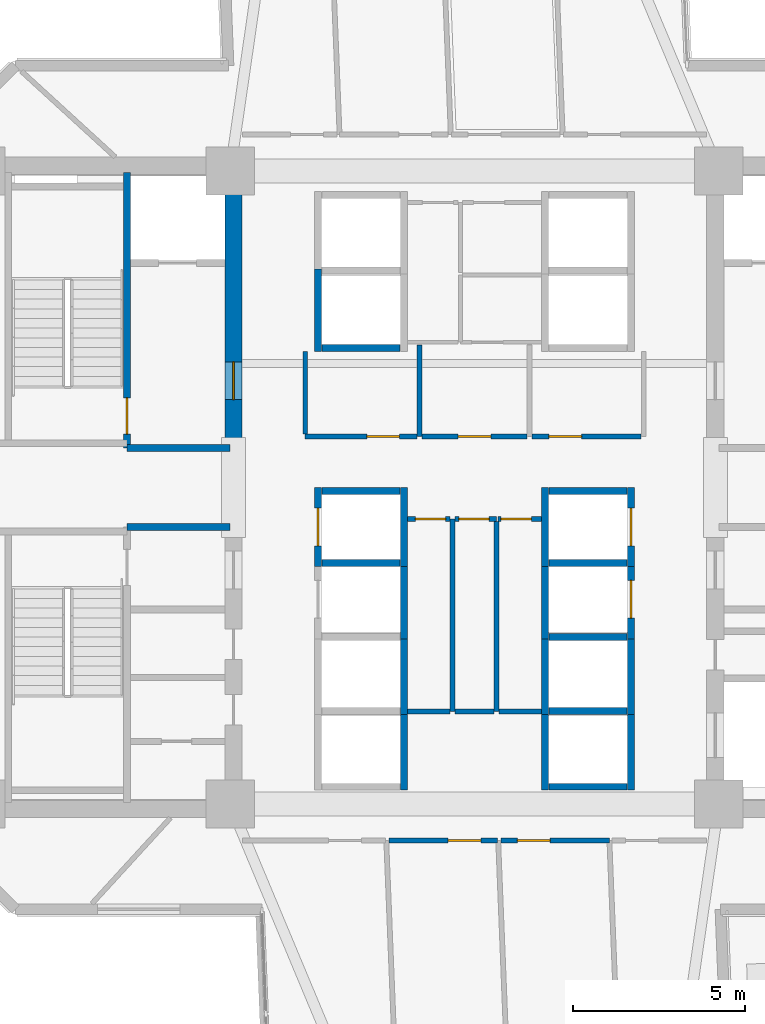
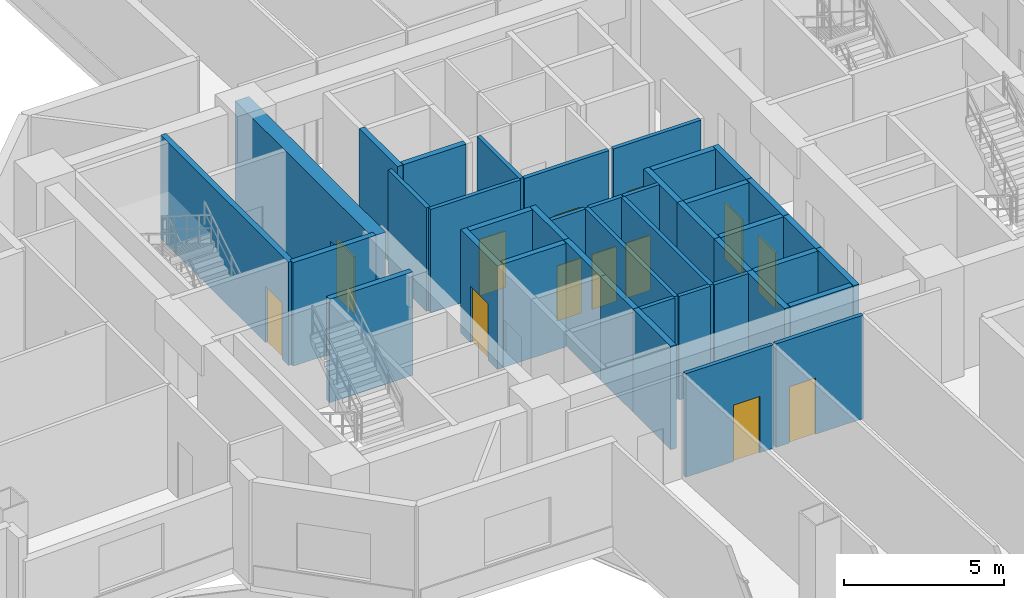
# One storey, part 7 of 16: 41 walls, 13 doors, 13 openings.
"""IFC4 building model written with IfcOpenShell, lengths in metres."""

import ifcopenshell
import ifcopenshell.guid

model = None  # the IFC model being written
_history = None  # IfcOwnerHistory: only IFC2X3 demands one
_inside = {}  # id of a spatial element -> (the spatial element, [elements in it])
_under = {}  # id of a project, library or spatial element -> (it, [spatial elements below it])
_declared = {}  # id of a project -> (the project, [libraries it declares])
_typed = {}  # id of a type object -> (the type object, [elements of that type])
_made_of = {}  # id of a material, layer set ... -> (it, [elements and type objects made of it])


def new_model(schema):
    """Start an empty IFC model of exactly this schema.

    Asked for "IFC4X3", IfcOpenShell would pick the latest addendum, in which some entities
    have other attributes; the version numbers below select the first issue.
    IFC2X3 requires an IfcOwnerHistory on every rooted entity: one is made here for all.
    """
    global model, _history
    if schema == "IFC4X3":
        model = ifcopenshell.file(schema_version=(4, 3, 0, 0))
    else:
        model = ifcopenshell.file(schema=schema)
    _inside.clear()
    _under.clear()
    _declared.clear()
    _typed.clear()
    _made_of.clear()
    _history = None
    if model.schema == "IFC2X3":
        org = make("IfcOrganization", Name="unknown")
        user = make(
            "IfcPersonAndOrganization",
            ThePerson=make("IfcPerson", FamilyName="unknown"),
            TheOrganization=org,
        )
        app = make(
            "IfcApplication",
            ApplicationDeveloper=org,
            Version="unknown",
            ApplicationFullName="unknown",
            ApplicationIdentifier="unknown",
        )
        _history = make(
            "IfcOwnerHistory",
            OwningUser=user,
            OwningApplication=app,
            ChangeAction="ADDED",
            CreationDate=0,
        )
    return model


def make(cls, **values):
    """One entity of the class cls with the attributes given. An attribute that is None is left unset."""
    return model.create_entity(
        cls, **{name: value for name, value in values.items() if value is not None}
    )


def rooted(cls, **values):
    """An entity with a GlobalId (a new one), such as an element, a storey or a relation."""
    return make(cls, GlobalId=ifcopenshell.guid.new(), OwnerHistory=_history, **values)


def si_unit(unit_type, name, prefix=None):
    """IfcSIUnit, for example si_unit("LENGTHUNIT", "METRE", prefix="MILLI")."""
    return make("IfcSIUnit", UnitType=unit_type, Prefix=prefix, Name=name)


def assignment(units):
    """IfcUnitAssignment: the units of a project."""
    return None if units is None else make("IfcUnitAssignment", Units=units)


def point(xyz):
    """IfcCartesianPoint."""
    return None if xyz is None else make("IfcCartesianPoint", Coordinates=xyz)


def direction(xyz):
    """IfcDirection."""
    return None if xyz is None else make("IfcDirection", DirectionRatios=xyz)


def frame(location, z_axis=None, x_axis=None):
    """IfcAxis2Placement3D, a coordinate frame: its origin and axes. An axis left out is left unset."""
    return make(
        "IfcAxis2Placement3D",
        Location=point(location),
        Axis=direction(z_axis),
        RefDirection=direction(x_axis),
    )


def frame_2d(location, x_axis=None):
    """IfcAxis2Placement2D, a coordinate frame in the plane: its origin and x axis."""
    return make(
        "IfcAxis2Placement2D", Location=point(location), RefDirection=direction(x_axis)
    )


def origin():
    """The frame at (0, 0, 0) with its axes left unset."""
    return frame((0.0, 0.0, 0.0))


def place(relative_to, where):
    """IfcLocalPlacement: puts the frame where relative to a parent placement (None: the world)."""
    return make(
        "IfcLocalPlacement", PlacementRelTo=relative_to, RelativePlacement=where
    )


def context(
    kind, dimensions, precision=None, world=None, true_north=None, identifier=None
):
    """IfcGeometricRepresentationContext, for example the 3D "Model" context."""
    return make(
        "IfcGeometricRepresentationContext",
        ContextIdentifier=identifier,
        ContextType=kind,
        CoordinateSpaceDimension=dimensions,
        Precision=precision,
        WorldCoordinateSystem=world,
        TrueNorth=true_north,
    )


def subcontext(parent, identifier, kind, view, scale=None):
    """IfcGeometricRepresentationSubContext, for example "Body" below "Model"."""
    return make(
        "IfcGeometricRepresentationSubContext",
        ContextIdentifier=identifier,
        ContextType=kind,
        ParentContext=parent,
        TargetScale=scale,
        TargetView=view,
    )


def project(units=None, contexts=None):
    """IfcProject with its units and contexts."""
    return rooted(
        "IfcProject",
        Name="project",
        RepresentationContexts=contexts,
        UnitsInContext=assignment(units),
    )


def spatial(cls, under=None, at=None, **own):
    """A site, building, storey or space (cls), placed at a placement, below another one or the project."""
    s = rooted(cls, ObjectPlacement=at, **own)
    if under is not None:
        _under.setdefault(under.id(), (under, []))[1].append(s)
    return s


def profile(cls, at=None, kind="AREA", **sizes):
    """A parametric profile (cls). Its sizes go by their IFC names, for example OverallWidth=200.0."""
    return make(cls, ProfileType=kind, Position=at, **sizes)


def rectangle(**sizes):
    """IfcRectangleProfileDef."""
    return profile("IfcRectangleProfileDef", **sizes)


def extrude(swept, where, along, depth):
    """IfcExtrudedAreaSolid: the profile swept, set in the frame where, extruded along a direction by depth."""
    return make(
        "IfcExtrudedAreaSolid",
        SweptArea=swept,
        Position=where,
        ExtrudedDirection=direction(along),
        Depth=depth,
    )


def shape(context_of_items, identifier, shape_type, items):
    """IfcShapeRepresentation: the items that make up one representation, for example the "Body"."""
    return make(
        "IfcShapeRepresentation",
        ContextOfItems=context_of_items,
        RepresentationIdentifier=identifier,
        RepresentationType=shape_type,
        Items=items,
    )


def source(mapping_origin, context_of_items, identifier, shape_type, items):
    """IfcRepresentationMap: a shape defined once, which mapped items show again and again."""
    return make(
        "IfcRepresentationMap",
        MappingOrigin=mapping_origin,
        MappedRepresentation=shape(context_of_items, identifier, shape_type, items),
    )


def transform(
    local_origin,
    x_axis=None,
    y_axis=None,
    z_axis=None,
    scale=None,
    scale2=None,
    scale3=None,
    uniform=True,
):
    """IfcCartesianTransformationOperator3D, or its non-uniform kind. x_axis, y_axis, z_axis: its Axis1, 2, 3."""
    if uniform:
        return make(
            "IfcCartesianTransformationOperator3D",
            Axis1=direction(x_axis),
            Axis2=direction(y_axis),
            LocalOrigin=point(local_origin),
            Scale=scale,
            Axis3=direction(z_axis),
        )
    return make(
        "IfcCartesianTransformationOperator3DnonUniform",
        Axis1=direction(x_axis),
        Axis2=direction(y_axis),
        LocalOrigin=point(local_origin),
        Scale=scale,
        Axis3=direction(z_axis),
        Scale2=scale2,
        Scale3=scale3,
    )


def mapped(mapping_source, mapping_target):
    """IfcMappedItem: shows the shape of a source again, moved by a transform."""
    return make(
        "IfcMappedItem", MappingSource=mapping_source, MappingTarget=mapping_target
    )


def material(Name=None, Category=None):
    """IfcMaterial."""
    return make("IfcMaterial", Name=Name, Category=Category)


def layer(
    of_material, thickness, ventilated=None, Name=None, Category=None, Priority=None
):
    """IfcMaterialLayer: one layer of a wall or slab, of a material (None: an air gap)."""
    return make(
        "IfcMaterialLayer",
        Material=of_material,
        LayerThickness=thickness,
        IsVentilated=ventilated,
        Name=Name,
        Category=Category,
        Priority=Priority,
    )


def layer_set(layers, Name=None):
    """IfcMaterialLayerSet."""
    return make("IfcMaterialLayerSet", MaterialLayers=layers, LayerSetName=Name)


def made_of(thing, what):
    """Note that an element or type object is made of a material, layer set ...; save() writes the relation."""
    if what is not None:
        _made_of.setdefault(what.id(), (what, []))[1].append(thing)
    return thing


def type_object(cls, material=None, **own):
    """A type object (cls), such as IfcWallType, which elements share."""
    return made_of(rooted(cls, **own), material)


def element(
    cls,
    number,
    at=None,
    inside=None,
    cuts=None,
    type_object=None,
    material=None,
    context=None,
    identifier="Body",
    shape_type=None,
    held_by="IfcProductDefinitionShape",
    body=None,
    shapes=None,
    **own,
):
    """One element of the class cls, such as IfcWall. Its Tag is "e" and its number.

    at: its placement. inside: the storey or other place that contains it. cuts: it is an
    opening in that element (IfcRelVoidsElement). A single representation is given by context,
    identifier, shape_type and body (its items); several are given by shapes. held_by: the class
    of the entity that holds the representations. save() writes the other relations.
    """
    e = rooted(cls, Tag="e%d" % number, ObjectPlacement=at, **own)
    if body is not None:
        shapes = [shape(context, identifier, shape_type, body)]
    if shapes is not None:
        e.Representation = make(held_by, Representations=shapes)
    if inside is not None:
        _inside.setdefault(inside.id(), (inside, []))[1].append(e)
    if cuts is not None:
        rooted(
            "IfcRelVoidsElement", RelatingBuildingElement=cuts, RelatedOpeningElement=e
        )
    if type_object is not None:
        _typed.setdefault(type_object.id(), (type_object, []))[1].append(e)
    return made_of(e, material)


def fill(opening, filler):
    """IfcRelFillsElement: the door or window that sits in an opening."""
    return rooted(
        "IfcRelFillsElement",
        RelatingOpeningElement=opening,
        RelatedBuildingElement=filler,
    )


def aggregate(whole, parts):
    """IfcRelAggregates: a whole, such as a stair, and the parts it consists of."""
    return rooted("IfcRelAggregates", RelatingObject=whole, RelatedObjects=parts)


def save(model, path):
    """Write the relations noted so far, then the file.

    IfcRelAggregates (storeys below a building ...), IfcRelContainedInSpatialStructure (elements
    in a storey), IfcRelDefinesByType, IfcRelAssociatesMaterial and IfcRelDeclares: one each for
    every whole, place, type object, material and project.
    """
    for whole, parts in _under.values():
        aggregate(whole, parts)
    for where, things in _inside.values():
        rooted(
            "IfcRelContainedInSpatialStructure",
            RelatedElements=things,
            RelatingStructure=where,
        )
    for kind, things in _typed.values():
        rooted("IfcRelDefinesByType", RelatedObjects=things, RelatingType=kind)
    for what, things in _made_of.values():
        rooted("IfcRelAssociatesMaterial", RelatedObjects=things, RelatingMaterial=what)
    for by, libraries in _declared.values():
        rooted("IfcRelDeclares", RelatingContext=by, RelatedDefinitions=libraries)
    model.write(path)


model = new_model("IFC4")

# Units and contexts
model_context = context("Model", 3, precision=1e-05, world=origin(), true_north=direction((0.0, 1.0)))
body_context = subcontext(model_context, "Body", "Model", "MODEL_VIEW")
ifc_project = project(units=[si_unit("LENGTHUNIT", "METRE"), si_unit("AREAUNIT", "SQUARE_METRE"), si_unit("VOLUMEUNIT", "CUBIC_METRE"), si_unit("PLANEANGLEUNIT", "RADIAN"), si_unit("MASSUNIT", "GRAM", prefix="KILO")], contexts=[model_context])

# Site, building, storey
site_placement = place(None, origin())
site = spatial("IfcSite", under=ifc_project, at=site_placement, CompositionType="ELEMENT")
building_placement = place(site_placement, origin())
building = spatial("IfcBuilding", under=site, at=building_placement, Name="Zahravan Cultural Tower", CompositionType="ELEMENT")
storey_placement = place(building_placement, frame((0.0, 0.0, 62.699951171875)))
storey = spatial("IfcBuildingStorey", under=building, at=storey_placement, Name="L13", CompositionType="ELEMENT", Elevation=62.699951171875)

# Wall, opening, door
ifc_material_1 = material(Name="Concrete C60/75", Category="concrete")
ifc_layer_1 = layer(ifc_material_1, 0.5)
ifc_layer_set_1 = layer_set([ifc_layer_1], Name="Concrete C60/75")
wall_type_1 = type_object("IfcWallType", Name="CW-SHEAR-500-C60", PredefinedType="SHEAR", material=ifc_layer_set_1)
wall_1_placement = place(storey_placement, frame((29.0, 28.050048828125, 0.0), z_axis=(0.0, 0.0, 1.0), x_axis=(0.0, 1.0, 0.0)))
wall_1 = element("IfcWall", 1, at=wall_1_placement, inside=storey, type_object=wall_type_1, Name="L13 Core Shear Wall CW-W-EN-L13", PredefinedType="SHEAR", context=body_context, shape_type="SweptSolid", body=[
    extrude(rectangle(XDim=8.550048828125, YDim=0.5, at=frame_2d((4.27490234375, 0.0))), origin(), (0.0, 0.0, 1.0), 3.949951171875),
])
opening_1_placement = place(wall_1_placement, frame((1.5, 0.0, 0.0)))
opening_1 = element("IfcOpeningElement", 2, at=opening_1_placement, cuts=wall_1, Name="Opening D-L13-05", PredefinedType="OPENING", context=body_context, shape_type="SweptSolid", body=[
    extrude(rectangle(XDim=1.10009765625, YDim=2.199951171875, at=frame_2d((0.550048828125, 1.10009765625))), frame((0.0, 0.260009765625, 0.0), z_axis=(0.0, -1.0, 0.0), x_axis=(1.0, 0.0, 0.0)), (0.0, 0.0, 1.0), 0.52001953125),
])
ifc_material_2 = material(Name="Steel ASTM A572 Grade 50", Category="steel")
door_type_1 = type_object("IfcDoorType", Name="DR-LOBBY-1100", OperationType="NOTDEFINED", PredefinedType="DOOR", material=ifc_material_2)
shared_shape_1 = source(origin(), body_context, "Body", "SweptSolid", [
    extrude(rectangle(XDim=1.10009765625, YDim=2.199951171875, at=frame_2d((0.550048828125, 1.10009765625))), frame((0.0, 0.02490234375, 0.0), z_axis=(0.0, -1.0, 0.0), x_axis=(1.0, 0.0, 0.0)), (0.0, 0.0, 1.0), 0.050048828125),
])
door_1_placement = place(opening_1_placement, origin())
door_1 = element("IfcDoor", 3, at=door_1_placement, inside=storey, type_object=door_type_1, Name="L13 Door D-L13-05", OperationType="SINGLE_SWING_LEFT", OverallHeight=2.199951171875, OverallWidth=1.10009765625, PredefinedType="DOOR", context=body_context, shape_type="MappedRepresentation", body=[
    mapped(shared_shape_1, transform((0.0, 0.0, 0.0), x_axis=(1.0, 0.0, 0.0), y_axis=(0.0, 1.0, 0.0), z_axis=(0.0, 0.0, 1.0), scale=1.0)),
])
fill(opening_1, door_1)

ifc_material_3 = material(Name="Gypsum plasterboard partition")
ifc_layer_2 = layer(ifc_material_3, 0.139892578125)
ifc_layer_set_2 = layer_set([ifc_layer_2], Name="Gypsum plasterboard partition")
wall_type_2 = type_object("IfcWallType", Name="W-PART-140", PredefinedType="PARTITIONING", material=ifc_layer_set_2)
wall_2_placement = place(storey_placement, frame((35.43505859375, 26.080078125, 0.0), z_axis=(0.0, 0.0, 1.0), x_axis=(1.0, 0.0, 0.0)))
wall_2 = element("IfcWall", 4, at=wall_2_placement, inside=storey, type_object=wall_type_2, Name="L13 Interior Wall 077", PredefinedType="PARTITIONING", context=body_context, shape_type="SweptSolid", body=[
    extrude(rectangle(XDim=1.204833984375, YDim=0.139892578125, at=frame_2d((0.6025390625, 0.0))), origin(), (0.0, 0.0, 1.0), 3.949951171875),
])
opening_2_placement = place(wall_2_placement, frame((0.11376953125, 0.0, 0.0)))
opening_2 = element("IfcOpeningElement", 5, at=opening_2_placement, cuts=wall_2, Name="Opening D-L13-16", PredefinedType="OPENING", context=body_context, shape_type="SweptSolid", body=[
    extrude(rectangle(XDim=0.8798828125, YDim=2.10009765625, at=frame_2d((0.43994140625, 1.050048828125))), frame((0.0, 0.079833984375, 0.0), z_axis=(0.0, -1.0, 0.0), x_axis=(1.0, 0.0, 0.0)), (0.0, 0.0, 1.0), 0.159912109375),
])
ifc_material_4 = material(Name="Anodised bronze-aluminium mullion", Category="aluminium")
door_type_2 = type_object("IfcDoorType", Name="DR-ROOM-880", OperationType="NOTDEFINED", PredefinedType="DOOR", material=ifc_material_4)
shared_shape_2 = source(origin(), body_context, "Body", "SweptSolid", [
    extrude(rectangle(XDim=0.8798828125, YDim=2.10009765625, at=frame_2d((0.43994140625, 1.050048828125))), frame((0.0, 0.02490234375, 0.0), z_axis=(0.0, -1.0, 0.0), x_axis=(1.0, 0.0, 0.0)), (0.0, 0.0, 1.0), 0.050048828125),
])
door_2_placement = place(opening_2_placement, origin())
door_2 = element("IfcDoor", 6, at=door_2_placement, inside=storey, type_object=door_type_2, Name="L13 Door D-L13-16", OperationType="SINGLE_SWING_RIGHT", OverallHeight=2.10009765625, OverallWidth=0.8798828125, PredefinedType="DOOR", context=body_context, shape_type="MappedRepresentation", body=[
    mapped(shared_shape_2, transform((0.0, 0.0, 0.0), x_axis=(1.0, 0.0, 0.0), y_axis=(0.0, 1.0, 0.0), z_axis=(0.0, 0.0, 1.0), scale=1.0)),
])
fill(opening_2, door_2)

wall_3_placement = place(storey_placement, frame((34.054931640625, 26.080078125, 0.0), z_axis=(0.0, 0.0, 1.0), x_axis=(1.0, 0.0, 0.0)))
wall_3 = element("IfcWall", 7, at=wall_3_placement, inside=storey, type_object=wall_type_2, Name="L13 Interior Wall 080", PredefinedType="PARTITIONING", context=body_context, shape_type="SweptSolid", body=[
    extrude(rectangle(XDim=1.22998046875, YDim=0.139892578125, at=frame_2d((0.614990234375, 0.0))), origin(), (0.0, 0.0, 1.0), 3.949951171875),
])
opening_3_placement = place(wall_3_placement, frame((0.2275390625, 0.0, 0.0)))
opening_3 = element("IfcOpeningElement", 8, at=opening_3_placement, cuts=wall_3, Name="Opening D-L13-15", PredefinedType="OPENING", context=body_context, shape_type="SweptSolid", body=[
    extrude(rectangle(XDim=0.8798828125, YDim=2.10009765625, at=frame_2d((0.43994140625, 1.050048828125))), frame((0.0, 0.079833984375, 0.0), z_axis=(0.0, -1.0, 0.0), x_axis=(1.0, 0.0, 0.0)), (0.0, 0.0, 1.0), 0.159912109375),
])
door_3_placement = place(opening_3_placement, origin())
door_3 = element("IfcDoor", 9, at=door_3_placement, inside=storey, type_object=door_type_2, Name="L13 Door D-L13-15", OperationType="SINGLE_SWING_LEFT", OverallHeight=2.10009765625, OverallWidth=0.8798828125, PredefinedType="DOOR", context=body_context, shape_type="MappedRepresentation", body=[
    mapped(shared_shape_2, transform((0.0, 0.0, 0.0), x_axis=(1.0, 0.0, 0.0), y_axis=(0.0, 1.0, 0.0), z_axis=(0.0, 0.0, 1.0), scale=1.0)),
])
fill(opening_3, door_3)

wall_4_placement = place(storey_placement, frame((36.679931640625, 26.080078125, 0.0), z_axis=(0.0, 0.0, 1.0), x_axis=(1.0, 0.0, 0.0)))
wall_4 = element("IfcWall", 10, at=wall_4_placement, inside=storey, type_object=wall_type_2, Name="L13 Interior Wall 082", PredefinedType="PARTITIONING", context=body_context, shape_type="SweptSolid", body=[
    extrude(rectangle(XDim=1.26513671875, YDim=0.139892578125, at=frame_2d((0.632568359375, 0.0))), origin(), (0.0, 0.0, 1.0), 3.949951171875),
])
opening_4_placement = place(wall_4_placement, frame((0.09033203125, 0.0, 0.0)))
opening_4 = element("IfcOpeningElement", 11, at=opening_4_placement, cuts=wall_4, Name="Opening D-L13-17", PredefinedType="OPENING", context=body_context, shape_type="SweptSolid", body=[
    extrude(rectangle(XDim=0.8798828125, YDim=2.10009765625, at=frame_2d((0.43994140625, 1.050048828125))), frame((0.0, 0.079833984375, 0.0), z_axis=(0.0, -1.0, 0.0), x_axis=(1.0, 0.0, 0.0)), (0.0, 0.0, 1.0), 0.159912109375),
])
door_4_placement = place(opening_4_placement, origin())
door_4 = element("IfcDoor", 12, at=door_4_placement, inside=storey, type_object=door_type_2, Name="L13 Door D-L13-17", OperationType="SINGLE_SWING_LEFT", OverallHeight=2.10009765625, OverallWidth=0.8798828125, PredefinedType="DOOR", context=body_context, shape_type="MappedRepresentation", body=[
    mapped(shared_shape_2, transform((0.0, 0.0, 0.0), x_axis=(1.0, 0.0, 0.0), y_axis=(0.0, 1.0, 0.0), z_axis=(0.0, 0.0, 1.0), scale=1.0)),
])
fill(opening_4, door_4)

wall_5_placement = place(storey_placement, frame((37.52490234375, 28.47998046875, 0.0), z_axis=(0.0, 0.0, 1.0), x_axis=(-1.0, 0.0, 0.0)))
wall_5 = element("IfcWall", 13, at=wall_5_placement, inside=storey, type_object=wall_type_2, Name="L13 Interior Wall 086", PredefinedType="PARTITIONING", context=body_context, shape_type="SweptSolid", body=[
    extrude(rectangle(XDim=3.0498046875, YDim=0.139892578125, at=frame_2d((1.52490234375, 0.0))), origin(), (0.0, 0.0, 1.0), 3.949951171875),
])
opening_5_placement = place(wall_5_placement, frame((1.050048828125, 0.0, 0.0)))
opening_5 = element("IfcOpeningElement", 14, at=opening_5_placement, cuts=wall_5, Name="Opening D-L13-19", PredefinedType="OPENING", context=body_context, shape_type="SweptSolid", body=[
    extrude(rectangle(XDim=0.949951171875, YDim=2.14990234375, at=frame_2d((0.47509765625, 1.074951171875))), frame((0.0, 0.079833984375, 0.0), z_axis=(0.0, -1.0, 0.0), x_axis=(1.0, 0.0, 0.0)), (0.0, 0.0, 1.0), 0.159912109375),
])
door_type_3 = type_object("IfcDoorType", Name="DR-ROOM-950", OperationType="NOTDEFINED", PredefinedType="DOOR", material=ifc_material_4)
shared_shape_3 = source(origin(), body_context, "Body", "SweptSolid", [
    extrude(rectangle(XDim=0.949951171875, YDim=2.14990234375, at=frame_2d((0.47509765625, 1.074951171875))), frame((0.0, 0.02490234375, 0.0), z_axis=(0.0, -1.0, 0.0), x_axis=(1.0, 0.0, 0.0)), (0.0, 0.0, 1.0), 0.050048828125),
])
door_5_placement = place(opening_5_placement, origin())
door_5 = element("IfcDoor", 15, at=door_5_placement, inside=storey, type_object=door_type_3, Name="L13 Door D-L13-19", OperationType="SINGLE_SWING_LEFT", OverallHeight=2.14990234375, OverallWidth=0.949951171875, PredefinedType="DOOR", context=body_context, shape_type="MappedRepresentation", body=[
    mapped(shared_shape_3, transform((0.0, 0.0, 0.0), x_axis=(1.0, 0.0, 0.0), y_axis=(0.0, 1.0, 0.0), z_axis=(0.0, 0.0, 1.0), scale=1.0)),
])
fill(opening_5, door_5)

wall_6_placement = place(storey_placement, frame((34.324951171875, 28.47998046875, 0.0), z_axis=(0.0, 0.0, 1.0), x_axis=(-1.0, 0.0, 0.0)))
wall_6 = element("IfcWall", 16, at=wall_6_placement, inside=storey, type_object=wall_type_2, Name="L13 Interior Wall 087", PredefinedType="PARTITIONING", context=body_context, shape_type="SweptSolid", body=[
    extrude(rectangle(XDim=3.244873046875, YDim=0.139892578125, at=frame_2d((1.62255859375, 0.0))), origin(), (0.0, 0.0, 1.0), 3.949951171875),
])
opening_6_placement = place(wall_6_placement, frame((0.5048828125, 0.0, 0.0)))
opening_6 = element("IfcOpeningElement", 17, at=opening_6_placement, cuts=wall_6, Name="Opening D-L13-18", PredefinedType="OPENING", context=body_context, shape_type="SweptSolid", body=[
    extrude(rectangle(XDim=0.949951171875, YDim=2.14990234375, at=frame_2d((0.47509765625, 1.074951171875))), frame((0.0, 0.079833984375, 0.0), z_axis=(0.0, -1.0, 0.0), x_axis=(1.0, 0.0, 0.0)), (0.0, 0.0, 1.0), 0.159912109375),
])
door_6_placement = place(opening_6_placement, origin())
door_6 = element("IfcDoor", 18, at=door_6_placement, inside=storey, type_object=door_type_3, Name="L13 Door D-L13-18", OperationType="SINGLE_SWING_RIGHT", OverallHeight=2.14990234375, OverallWidth=0.949951171875, PredefinedType="DOOR", context=body_context, shape_type="MappedRepresentation", body=[
    mapped(shared_shape_3, transform((0.0, 0.0, 0.0), x_axis=(1.0, 0.0, 0.0), y_axis=(0.0, 1.0, 0.0), z_axis=(0.0, 0.0, 1.0), scale=1.0)),
])
fill(opening_6, door_6)

wall_7_placement = place(storey_placement, frame((40.844970703125, 28.47998046875, 0.0), z_axis=(0.0, 0.0, 1.0), x_axis=(-1.0, 0.0, 0.0)))
wall_7 = element("IfcWall", 19, at=wall_7_placement, inside=storey, type_object=wall_type_2, Name="L13 Interior Wall 090", PredefinedType="PARTITIONING", context=body_context, shape_type="SweptSolid", body=[
    extrude(rectangle(XDim=3.169921875, YDim=0.139892578125, at=frame_2d((1.5849609375, 0.0))), origin(), (0.0, 0.0, 1.0), 3.949951171875),
])
opening_7_placement = place(wall_7_placement, frame((1.731689453125, 0.0, 0.0)))
opening_7 = element("IfcOpeningElement", 20, at=opening_7_placement, cuts=wall_7, Name="Opening D-L13-20", PredefinedType="OPENING", context=body_context, shape_type="SweptSolid", body=[
    extrude(rectangle(XDim=0.949951171875, YDim=2.14990234375, at=frame_2d((0.47509765625, 1.074951171875))), frame((0.0, 0.079833984375, 0.0), z_axis=(0.0, -1.0, 0.0), x_axis=(1.0, 0.0, 0.0)), (0.0, 0.0, 1.0), 0.159912109375),
])
door_7_placement = place(opening_7_placement, origin())
door_7 = element("IfcDoor", 21, at=door_7_placement, inside=storey, type_object=door_type_3, Name="L13 Door D-L13-20", OperationType="SINGLE_SWING_RIGHT", OverallHeight=2.14990234375, OverallWidth=0.949951171875, PredefinedType="DOOR", context=body_context, shape_type="MappedRepresentation", body=[
    mapped(shared_shape_3, transform((0.0, 0.0, 0.0), x_axis=(1.0, 0.0, 0.0), y_axis=(0.0, 1.0, 0.0), z_axis=(0.0, 0.0, 1.0), scale=1.0)),
])
fill(opening_7, door_7)

wall_8_placement = place(storey_placement, frame((36.763916015625, 16.739990234375, 0.0), z_axis=(0.0, 0.0, 1.0), x_axis=(1.0, 0.0, 0.0)))
wall_8 = element("IfcWall", 22, at=wall_8_placement, inside=storey, type_object=wall_type_2, Name="L13 Interior Wall 101", PredefinedType="PARTITIONING", context=body_context, shape_type="SweptSolid", body=[
    extrude(rectangle(XDim=3.157470703125, YDim=0.139892578125, at=frame_2d((1.57861328125, 0.0))), origin(), (0.0, 0.0, 1.0), 3.949951171875),
])
opening_8_placement = place(wall_8_placement, frame((0.485595703125, 0.0, 0.0)))
opening_8 = element("IfcOpeningElement", 23, at=opening_8_placement, cuts=wall_8, Name="Opening D-L13-33", PredefinedType="OPENING", context=body_context, shape_type="SweptSolid", body=[
    extrude(rectangle(XDim=0.949951171875, YDim=2.14990234375, at=frame_2d((0.47509765625, 1.074951171875))), frame((0.0, 0.079833984375, 0.0), z_axis=(0.0, -1.0, 0.0), x_axis=(1.0, 0.0, 0.0)), (0.0, 0.0, 1.0), 0.159912109375),
])
door_8_placement = place(opening_8_placement, origin())
door_8 = element("IfcDoor", 24, at=door_8_placement, inside=storey, type_object=door_type_3, Name="L13 Door D-L13-33", OperationType="SINGLE_SWING_LEFT", OverallHeight=2.14990234375, OverallWidth=0.949951171875, PredefinedType="DOOR", context=body_context, shape_type="MappedRepresentation", body=[
    mapped(shared_shape_3, transform((0.0, 0.0, 0.0), x_axis=(1.0, 0.0, 0.0), y_axis=(0.0, 1.0, 0.0), z_axis=(0.0, 0.0, 1.0), scale=1.0)),
])
fill(opening_8, door_8)

wall_9_placement = place(storey_placement, frame((33.51123046875, 16.739990234375, 0.0), z_axis=(0.0, 0.0, 1.0), x_axis=(1.0, 0.0, 0.0)))
wall_9 = element("IfcWall", 25, at=wall_9_placement, inside=storey, type_object=wall_type_2, Name="L13 Interior Wall 108", PredefinedType="PARTITIONING", context=body_context, shape_type="SweptSolid", body=[
    extrude(rectangle(XDim=3.157470703125, YDim=0.139892578125, at=frame_2d((1.57861328125, 0.0))), origin(), (0.0, 0.0, 1.0), 3.949951171875),
])
opening_9_placement = place(wall_9_placement, frame((1.7216796875, 0.0, 0.0)))
opening_9 = element("IfcOpeningElement", 26, at=opening_9_placement, cuts=wall_9, Name="Opening D-L13-32", PredefinedType="OPENING", context=body_context, shape_type="SweptSolid", body=[
    extrude(rectangle(XDim=0.949951171875, YDim=2.14990234375, at=frame_2d((0.47509765625, 1.074951171875))), frame((0.0, 0.079833984375, 0.0), z_axis=(0.0, -1.0, 0.0), x_axis=(1.0, 0.0, 0.0)), (0.0, 0.0, 1.0), 0.159912109375),
])
door_9_placement = place(opening_9_placement, origin())
door_9 = element("IfcDoor", 27, at=door_9_placement, inside=storey, type_object=door_type_3, Name="L13 Door D-L13-32", OperationType="SINGLE_SWING_RIGHT", OverallHeight=2.14990234375, OverallWidth=0.949951171875, PredefinedType="DOOR", context=body_context, shape_type="MappedRepresentation", body=[
    mapped(shared_shape_3, transform((0.0, 0.0, 0.0), x_axis=(1.0, 0.0, 0.0), y_axis=(0.0, 1.0, 0.0), z_axis=(0.0, 0.0, 1.0), scale=1.0)),
])
fill(opening_9, door_9)

ifc_material_5 = material(Name="Concrete C45/55", Category="concrete")
ifc_layer_3 = layer(ifc_material_5, 0.199951171875)
ifc_layer_set_3 = layer_set([ifc_layer_3], Name="Concrete C45/55")
wall_type_3 = type_object("IfcWallType", Name="W-SHAFT-200", PredefinedType="SOLIDWALL", material=ifc_layer_set_3)
wall_10_placement = place(storey_placement, frame((25.89990234375, 28.14990234375, 0.0), z_axis=(0.0, 0.0, 1.0), x_axis=(0.0, 1.0, 0.0)))
wall_10 = element("IfcWall", 28, at=wall_10_placement, inside=storey, type_object=wall_type_3, Name="L13 Interior Wall 006", PredefinedType="SOLIDWALL", context=body_context, shape_type="SweptSolid", body=[
    extrude(rectangle(XDim=8.0, YDim=0.199951171875, at=frame_2d((4.0, 0.0))), origin(), (0.0, 0.0, 1.0), 3.949951171875),
])
opening_10_placement = place(wall_10_placement, frame((0.39990234375, 0.0, 0.0)))
opening_10 = element("IfcOpeningElement", 29, at=opening_10_placement, cuts=wall_10, Name="Opening D-L13-01", PredefinedType="OPENING", context=body_context, shape_type="SweptSolid", body=[
    extrude(rectangle(XDim=1.050048828125, YDim=2.14990234375, at=frame_2d((0.52490234375, 1.074951171875))), frame((0.0, 0.10986328125, 0.0), z_axis=(0.0, -1.0, 0.0), x_axis=(1.0, 0.0, 0.0)), (0.0, 0.0, 1.0), 0.219970703125),
])
door_type_4 = type_object("IfcDoorType", Name="DR-STAIR-1050", OperationType="NOTDEFINED", PredefinedType="DOOR", material=ifc_material_2)
shared_shape_4 = source(origin(), body_context, "Body", "SweptSolid", [
    extrude(rectangle(XDim=1.050048828125, YDim=2.14990234375, at=frame_2d((0.52490234375, 1.074951171875))), frame((0.0, 0.02490234375, 0.0), z_axis=(0.0, -1.0, 0.0), x_axis=(1.0, 0.0, 0.0)), (0.0, 0.0, 1.0), 0.050048828125),
])
door_10_placement = place(opening_10_placement, origin())
door_10 = element("IfcDoor", 30, at=door_10_placement, inside=storey, type_object=door_type_4, Name="L13 Door D-L13-01", OperationType="SINGLE_SWING_LEFT", OverallHeight=2.14990234375, OverallWidth=1.050048828125, PredefinedType="DOOR", context=body_context, shape_type="MappedRepresentation", body=[
    mapped(shared_shape_4, transform((0.0, 0.0, 0.0), x_axis=(1.0, 0.0, 0.0), y_axis=(0.0, 1.0, 0.0), z_axis=(0.0, 0.0, 1.0), scale=1.0)),
])
fill(opening_10, door_10)

wall_11_placement = place(storey_placement, frame((31.449951171875, 24.699951171875, 0.0), z_axis=(0.0, 0.0, 1.0), x_axis=(0.0, 1.0, 0.0)))
wall_11 = element("IfcWall", 31, at=wall_11_placement, inside=storey, type_object=wall_type_3, Name="L13 Interior Wall 057", PredefinedType="SOLIDWALL", context=body_context, shape_type="SweptSolid", body=[
    extrude(rectangle(XDim=2.300048828125, YDim=0.199951171875, at=frame_2d((1.14990234375, 0.0))), origin(), (0.0, 0.0, 1.0), 3.949951171875),
])
opening_11_placement = place(wall_11_placement, frame((0.60009765625, 0.0, 0.0)))
opening_11 = element("IfcOpeningElement", 32, at=opening_11_placement, cuts=wall_11, Name="Opening LD-L13-04", PredefinedType="OPENING", context=body_context, shape_type="SweptSolid", body=[
    extrude(rectangle(XDim=1.10009765625, YDim=2.14990234375, at=frame_2d((0.550048828125, 1.074951171875))), frame((0.0, 0.10986328125, 0.0), z_axis=(0.0, -1.0, 0.0), x_axis=(1.0, 0.0, 0.0)), (0.0, 0.0, 1.0), 0.219970703125),
])
door_type_5 = type_object("IfcDoorType", Name="DR-LIFT-1100", OperationType="DOUBLE_DOOR_SLIDING", PredefinedType="DOOR", material=ifc_material_2)
shared_shape_5 = source(origin(), body_context, "Body", "SweptSolid", [
    extrude(rectangle(XDim=1.10009765625, YDim=2.14990234375, at=frame_2d((0.550048828125, 1.074951171875))), frame((0.0, 0.02490234375, 0.0), z_axis=(0.0, -1.0, 0.0), x_axis=(1.0, 0.0, 0.0)), (0.0, 0.0, 1.0), 0.050048828125),
])
door_11_placement = place(opening_11_placement, origin())
door_11 = element("IfcDoor", 33, at=door_11_placement, inside=storey, type_object=door_type_5, Name="L13 Door LD-L13-04", OperationType="DOUBLE_DOOR_SLIDING", OverallHeight=2.14990234375, OverallWidth=1.10009765625, PredefinedType="DOOR", context=body_context, shape_type="MappedRepresentation", body=[
    mapped(shared_shape_5, transform((0.0, 0.0, 0.0), x_axis=(1.0, 0.0, 0.0), y_axis=(0.0, 1.0, 0.0), z_axis=(0.0, 0.0, 1.0), scale=1.0)),
])
fill(opening_11, door_11)

wall_12_placement = place(storey_placement, frame((40.550048828125, 24.699951171875, 0.0), z_axis=(0.0, 0.0, 1.0), x_axis=(0.0, 1.0, 0.0)))
wall_12 = element("IfcWall", 34, at=wall_12_placement, inside=storey, type_object=wall_type_3, Name="L13 Interior Wall 064", PredefinedType="SOLIDWALL", context=body_context, shape_type="SweptSolid", body=[
    extrude(rectangle(XDim=2.300048828125, YDim=0.199951171875, at=frame_2d((1.14990234375, 0.0))), origin(), (0.0, 0.0, 1.0), 3.949951171875),
])
opening_12_placement = place(wall_12_placement, frame((0.60009765625, 0.0, 0.0)))
opening_12 = element("IfcOpeningElement", 35, at=opening_12_placement, cuts=wall_12, Name="Opening LD-L13-06", PredefinedType="OPENING", context=body_context, shape_type="SweptSolid", body=[
    extrude(rectangle(XDim=1.10009765625, YDim=2.14990234375, at=frame_2d((0.550048828125, 1.074951171875))), frame((0.0, 0.10986328125, 0.0), z_axis=(0.0, -1.0, 0.0), x_axis=(1.0, 0.0, 0.0)), (0.0, 0.0, 1.0), 0.219970703125),
])
door_12_placement = place(opening_12_placement, origin())
door_12 = element("IfcDoor", 36, at=door_12_placement, inside=storey, type_object=door_type_5, Name="L13 Door LD-L13-06", OperationType="DOUBLE_DOOR_SLIDING", OverallHeight=2.14990234375, OverallWidth=1.10009765625, PredefinedType="DOOR", context=body_context, shape_type="MappedRepresentation", body=[
    mapped(shared_shape_5, transform((0.0, 0.0, 0.0), x_axis=(1.0, 0.0, 0.0), y_axis=(0.0, 1.0, 0.0), z_axis=(0.0, 0.0, 1.0), scale=1.0)),
])
fill(opening_12, door_12)

wall_13_placement = place(storey_placement, frame((40.550048828125, 22.60009765625, 0.0), z_axis=(0.0, 0.0, 1.0), x_axis=(0.0, 1.0, 0.0)))
wall_13 = element("IfcWall", 37, at=wall_13_placement, inside=storey, type_object=wall_type_3, Name="L13 Interior Wall 068", PredefinedType="SOLIDWALL", context=body_context, shape_type="SweptSolid", body=[
    extrude(rectangle(XDim=2.2998046875, YDim=0.199951171875, at=frame_2d((1.14990234375, 0.0))), origin(), (0.0, 0.0, 1.0), 3.949951171875),
])
opening_13_placement = place(wall_13_placement, frame((0.60009765625, 0.0, 0.0)))
opening_13 = element("IfcOpeningElement", 38, at=opening_13_placement, cuts=wall_13, Name="Opening LD-L13-07", PredefinedType="OPENING", context=body_context, shape_type="SweptSolid", body=[
    extrude(rectangle(XDim=1.10009765625, YDim=2.14990234375, at=frame_2d((0.550048828125, 1.074951171875))), frame((0.0, 0.10986328125, 0.0), z_axis=(0.0, -1.0, 0.0), x_axis=(1.0, 0.0, 0.0)), (0.0, 0.0, 1.0), 0.219970703125),
])
door_13_placement = place(opening_13_placement, origin())
door_13 = element("IfcDoor", 39, at=door_13_placement, inside=storey, type_object=door_type_5, Name="L13 Door LD-L13-07", OperationType="DOUBLE_DOOR_SLIDING", OverallHeight=2.14990234375, OverallWidth=1.10009765625, PredefinedType="DOOR", context=body_context, shape_type="MappedRepresentation", body=[
    mapped(shared_shape_5, transform((0.0, 0.0, 0.0), x_axis=(1.0, 0.0, 0.0), y_axis=(0.0, 1.0, 0.0), z_axis=(0.0, 0.0, 1.0), scale=1.0)),
])
fill(opening_13, door_13)

# Walls
shared_shape_6 = source(origin(), body_context, "Body", "SweptSolid", [
    extrude(rectangle(XDim=3.0, YDim=0.199951171875, at=frame_2d((1.5, 0.0))), origin(), (0.0, 0.0, 1.0), 3.949951171875),
])
for number, where, z_axis, x_axis, name in (
    (40, (25.89990234375, 25.85009765625, 0.0), (0.0, 0.0, 1.0), (1.0, 0.0, 0.0), "L13 Interior Wall 010"),
    (41, (25.89990234375, 28.14990234375, 0.0), (0.0, 0.0, 1.0), (1.0, 0.0, 0.0), "L13 Interior Wall 012"),
):
    element("IfcWall", number, at=place(storey_placement, frame(where, z_axis=z_axis, x_axis=x_axis)), inside=storey, type_object=wall_type_3, Name=name, PredefinedType="SOLIDWALL", context=body_context, shape_type="MappedRepresentation", body=[
        mapped(shared_shape_6, transform((0.0, 0.0, 0.0), x_axis=(1.0, 0.0, 0.0), y_axis=(0.0, 1.0, 0.0), z_axis=(0.0, 0.0, 1.0), scale=1.0)),
    ])
shared_shape_7 = source(origin(), body_context, "Body", "SweptSolid", [
    extrude(rectangle(XDim=2.400146484375, YDim=0.199951171875, at=frame_2d((1.2001953125, 0.0))), origin(), (0.0, 0.0, 1.0), 3.949951171875),
])
wall_14_placement = place(storey_placement, frame((31.449951171875, 30.949951171875, 0.0), z_axis=(0.0, 0.0, 1.0), x_axis=(0.0, 1.0, 0.0)))
element("IfcWall", 42, at=wall_14_placement, inside=storey, type_object=wall_type_3, Name="L13 Interior Wall 033", PredefinedType="SOLIDWALL", context=body_context, shape_type="MappedRepresentation", body=[
    mapped(shared_shape_7, transform((0.0, 0.0, 0.0), x_axis=(1.0, 0.0, 0.0), y_axis=(0.0, 1.0, 0.0), z_axis=(0.0, 0.0, 1.0), scale=1.0)),
])
shared_shape_8 = source(origin(), body_context, "Body", "SweptSolid", [
    extrude(rectangle(XDim=2.260009765625, YDim=0.199951171875, at=frame_2d((1.1298828125, 0.0))), origin(), (0.0, 0.0, 1.0), 3.949951171875),
])
for number, where, z_axis, x_axis, name in (
    (43, (31.570068359375, 31.050048828125, 0.0), (0.0, 0.0, 1.0), (1.0, 0.0, 0.0), "L13 Interior Wall 035"),
    (44, (38.169921875, 20.5, 0.0), (0.0, 0.0, 1.0), (1.0, 0.0, 0.0), "L13 Interior Wall 052"),
    (45, (38.169921875, 22.64990234375, 0.0), (0.0, 0.0, 1.0), (1.0, 0.0, 0.0), "L13 Interior Wall 053"),
    (46, (38.169921875, 18.300048828125, 0.0), (0.0, 0.0, 1.0), (1.0, 0.0, 0.0), "L13 Interior Wall 056"),
    (47, (31.570068359375, 24.800048828125, 0.0), (0.0, 0.0, 1.0), (1.0, 0.0, 0.0), "L13 Interior Wall 059"),
    (48, (31.570068359375, 26.89990234375, 0.0), (0.0, 0.0, 1.0), (1.0, 0.0, 0.0), "L13 Interior Wall 060"),
    (49, (38.169921875, 24.800048828125, 0.0), (0.0, 0.0, 1.0), (1.0, 0.0, 0.0), "L13 Interior Wall 065"),
    (50, (38.169921875, 26.89990234375, 0.0), (0.0, 0.0, 1.0), (1.0, 0.0, 0.0), "L13 Interior Wall 066"),
):
    element("IfcWall", number, at=place(storey_placement, frame(where, z_axis=z_axis, x_axis=x_axis)), inside=storey, type_object=wall_type_3, Name=name, PredefinedType="SOLIDWALL", context=body_context, shape_type="MappedRepresentation", body=[
        mapped(shared_shape_8, transform((0.0, 0.0, 0.0), x_axis=(1.0, 0.0, 0.0), y_axis=(0.0, 1.0, 0.0), z_axis=(0.0, 0.0, 1.0), scale=1.0)),
    ])
shared_shape_9 = source(origin(), body_context, "Body", "SweptSolid", [
    extrude(rectangle(XDim=2.35009765625, YDim=0.199951171875, at=frame_2d((1.175048828125, 0.0))), origin(), (0.0, 0.0, 1.0), 3.949951171875),
])
for number, where, z_axis, x_axis, name in (
    (51, (33.949951171875, 20.39990234375, 0.0), (0.0, 0.0, 1.0), (0.0, 1.0, 0.0), "L13 Interior Wall 044"),
    (52, (33.949951171875, 18.199951171875, 0.0), (0.0, 0.0, 1.0), (0.0, 1.0, 0.0), "L13 Interior Wall 048"),
    (53, (38.050048828125, 20.39990234375, 0.0), (0.0, 0.0, 1.0), (0.0, 1.0, 0.0), "L13 Interior Wall 050"),
    (54, (40.550048828125, 20.39990234375, 0.0), (0.0, 0.0, 1.0), (0.0, 1.0, 0.0), "L13 Interior Wall 051"),
    (55, (38.050048828125, 18.199951171875, 0.0), (0.0, 0.0, 1.0), (0.0, 1.0, 0.0), "L13 Interior Wall 054"),
    (56, (40.550048828125, 18.199951171875, 0.0), (0.0, 0.0, 1.0), (0.0, 1.0, 0.0), "L13 Interior Wall 055"),
):
    element("IfcWall", number, at=place(storey_placement, frame(where, z_axis=z_axis, x_axis=x_axis)), inside=storey, type_object=wall_type_3, Name=name, PredefinedType="SOLIDWALL", context=body_context, shape_type="MappedRepresentation", body=[
        mapped(shared_shape_9, transform((0.0, 0.0, 0.0), x_axis=(1.0, 0.0, 0.0), y_axis=(0.0, 1.0, 0.0), z_axis=(0.0, 0.0, 1.0), scale=1.0)),
    ])
shared_shape_10 = source(origin(), body_context, "Body", "SweptSolid", [
    extrude(rectangle(XDim=2.300048828125, YDim=0.199951171875, at=frame_2d((1.14990234375, 0.0))), origin(), (0.0, 0.0, 1.0), 3.949951171875),
])
for number, where, z_axis, x_axis, name in (
    (57, (33.949951171875, 24.699951171875, 0.0), (0.0, 0.0, 1.0), (0.0, 1.0, 0.0), "L13 Interior Wall 058"),
    (58, (38.050048828125, 24.699951171875, 0.0), (0.0, 0.0, 1.0), (0.0, 1.0, 0.0), "L13 Interior Wall 063"),
):
    element("IfcWall", number, at=place(storey_placement, frame(where, z_axis=z_axis, x_axis=x_axis)), inside=storey, type_object=wall_type_3, Name=name, PredefinedType="SOLIDWALL", context=body_context, shape_type="MappedRepresentation", body=[
        mapped(shared_shape_10, transform((0.0, 0.0, 0.0), x_axis=(1.0, 0.0, 0.0), y_axis=(0.0, 1.0, 0.0), z_axis=(0.0, 0.0, 1.0), scale=1.0)),
    ])
shared_shape_11 = source(origin(), body_context, "Body", "SweptSolid", [
    extrude(rectangle(XDim=2.2998046875, YDim=0.199951171875, at=frame_2d((1.14990234375, 0.0))), origin(), (0.0, 0.0, 1.0), 3.949951171875),
])
for number, where, z_axis, x_axis, name in (
    (59, (33.949951171875, 22.60009765625, 0.0), (0.0, 0.0, 1.0), (0.0, 1.0, 0.0), "L13 Interior Wall 062"),
    (60, (38.050048828125, 22.60009765625, 0.0), (0.0, 0.0, 1.0), (0.0, 1.0, 0.0), "L13 Interior Wall 067"),
):
    element("IfcWall", number, at=place(storey_placement, frame(where, z_axis=z_axis, x_axis=x_axis)), inside=storey, type_object=wall_type_3, Name=name, PredefinedType="SOLIDWALL", context=body_context, shape_type="MappedRepresentation", body=[
        mapped(shared_shape_11, transform((0.0, 0.0, 0.0), x_axis=(1.0, 0.0, 0.0), y_axis=(0.0, 1.0, 0.0), z_axis=(0.0, 0.0, 1.0), scale=1.0)),
    ])
shared_shape_12 = source(origin(), body_context, "Body", "SweptSolid", [
    extrude(rectangle(XDim=2.39501953125, YDim=0.139892578125, at=frame_2d((1.197509765625, 0.0))), origin(), (0.0, 0.0, 1.0), 3.949951171875),
])
wall_15_placement = place(storey_placement, frame((31.080078125, 28.554931640625, 0.0), z_axis=(0.0, 0.0, 1.0), x_axis=(0.0, 1.0, 0.0)))
element("IfcWall", 61, at=wall_15_placement, inside=storey, type_object=wall_type_2, Name="L13 Interior Wall 088", PredefinedType="PARTITIONING", context=body_context, shape_type="MappedRepresentation", body=[
    mapped(shared_shape_12, transform((0.0, 0.0, 0.0), x_axis=(1.0, 0.0, 0.0), y_axis=(0.0, 1.0, 0.0), z_axis=(0.0, 0.0, 1.0), scale=1.0)),
])
shared_shape_13 = source(origin(), body_context, "Body", "SweptSolid", [
    extrude(rectangle(XDim=5.590087890625, YDim=0.139892578125, at=frame_2d((2.794921875, 0.0))), origin(), (0.0, 0.0, 1.0), 3.949951171875),
])
wall_16_placement = place(storey_placement, frame((35.360107421875, 20.489990234375, 0.0), z_axis=(0.0, 0.0, 1.0), x_axis=(0.0, 1.0, 0.0)))
element("IfcWall", 62, at=wall_16_placement, inside=storey, type_object=wall_type_2, Name="L13 Interior Wall 076", PredefinedType="PARTITIONING", context=body_context, shape_type="MappedRepresentation", body=[
    mapped(shared_shape_13, transform((0.0, 0.0, 0.0), x_axis=(1.0, 0.0, 0.0), y_axis=(0.0, 1.0, 0.0), z_axis=(0.0, 0.0, 1.0), scale=1.0)),
])
shared_shape_14 = source(origin(), body_context, "Body", "SweptSolid", [
    extrude(rectangle(XDim=5.514892578125, YDim=0.139892578125, at=frame_2d((2.75732421875, 0.0))), origin(), (0.0, 0.0, 1.0), 3.949951171875),
])
wall_17_placement = place(storey_placement, frame((36.639892578125, 26.0048828125, 0.0), z_axis=(0.0, 0.0, 1.0), x_axis=(0.0, -1.0, 0.0)))
element("IfcWall", 63, at=wall_17_placement, inside=storey, type_object=wall_type_2, Name="L13 Interior Wall 078", PredefinedType="PARTITIONING", context=body_context, shape_type="MappedRepresentation", body=[
    mapped(shared_shape_14, transform((0.0, 0.0, 0.0), x_axis=(1.0, 0.0, 0.0), y_axis=(0.0, 1.0, 0.0), z_axis=(0.0, 0.0, 1.0), scale=1.0)),
])
shared_shape_15 = source(origin(), body_context, "Body", "SweptSolid", [
    extrude(rectangle(XDim=1.1298828125, YDim=0.139892578125, at=frame_2d((0.56494140625, 0.0))), origin(), (0.0, 0.0, 1.0), 3.949951171875),
])
wall_18_placement = place(storey_placement, frame((36.56494140625, 20.489990234375, 0.0), z_axis=(0.0, 0.0, 1.0), x_axis=(-1.0, 0.0, 0.0)))
element("IfcWall", 64, at=wall_18_placement, inside=storey, type_object=wall_type_2, Name="L13 Interior Wall 079", PredefinedType="PARTITIONING", context=body_context, shape_type="MappedRepresentation", body=[
    mapped(shared_shape_15, transform((0.0, 0.0, 0.0), x_axis=(1.0, 0.0, 0.0), y_axis=(0.0, 1.0, 0.0), z_axis=(0.0, 0.0, 1.0), scale=1.0)),
])
shared_shape_16 = source(origin(), body_context, "Body", "SweptSolid", [
    extrude(rectangle(XDim=1.22998046875, YDim=0.139892578125, at=frame_2d((0.614990234375, 0.0))), origin(), (0.0, 0.0, 1.0), 3.949951171875),
])
for number, where, z_axis, x_axis, name in (
    (65, (35.284912109375, 20.489990234375, 0.0), (0.0, 0.0, 1.0), (-1.0, 0.0, 0.0), "L13 Interior Wall 081"),
    (66, (37.945068359375, 20.489990234375, 0.0), (0.0, 0.0, 1.0), (-1.0, 0.0, 0.0), "L13 Interior Wall 083"),
):
    element("IfcWall", number, at=place(storey_placement, frame(where, z_axis=z_axis, x_axis=x_axis)), inside=storey, type_object=wall_type_2, Name=name, PredefinedType="PARTITIONING", context=body_context, shape_type="MappedRepresentation", body=[
        mapped(shared_shape_16, transform((0.0, 0.0, 0.0), x_axis=(1.0, 0.0, 0.0), y_axis=(0.0, 1.0, 0.0), z_axis=(0.0, 0.0, 1.0), scale=1.0)),
    ])
shared_shape_17 = source(origin(), body_context, "Body", "SweptSolid", [
    extrude(rectangle(XDim=2.659912109375, YDim=0.139892578125, at=frame_2d((1.330078125, 0.0))), origin(), (0.0, 0.0, 1.0), 3.949951171875),
])
wall_19_placement = place(storey_placement, frame((34.39990234375, 28.47998046875, 0.0), z_axis=(0.0, 0.0, 1.0), x_axis=(0.0, 1.0, 0.0)))
element("IfcWall", 67, at=wall_19_placement, inside=storey, type_object=wall_type_2, Name="L13 Interior Wall 084", PredefinedType="PARTITIONING", context=body_context, shape_type="MappedRepresentation", body=[
    mapped(shared_shape_17, transform((0.0, 0.0, 0.0), x_axis=(1.0, 0.0, 0.0), y_axis=(0.0, 1.0, 0.0), z_axis=(0.0, 0.0, 1.0), scale=1.0)),
])

save(model, "model.ifc")
